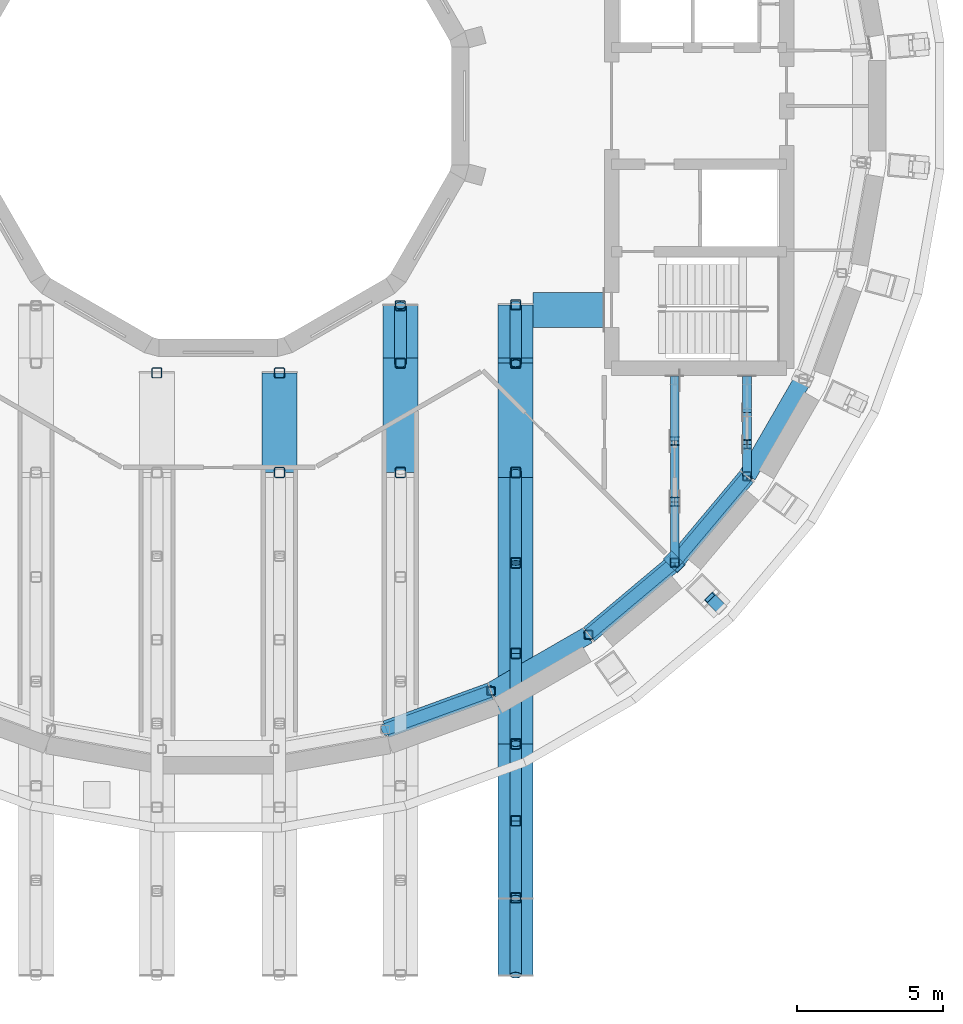
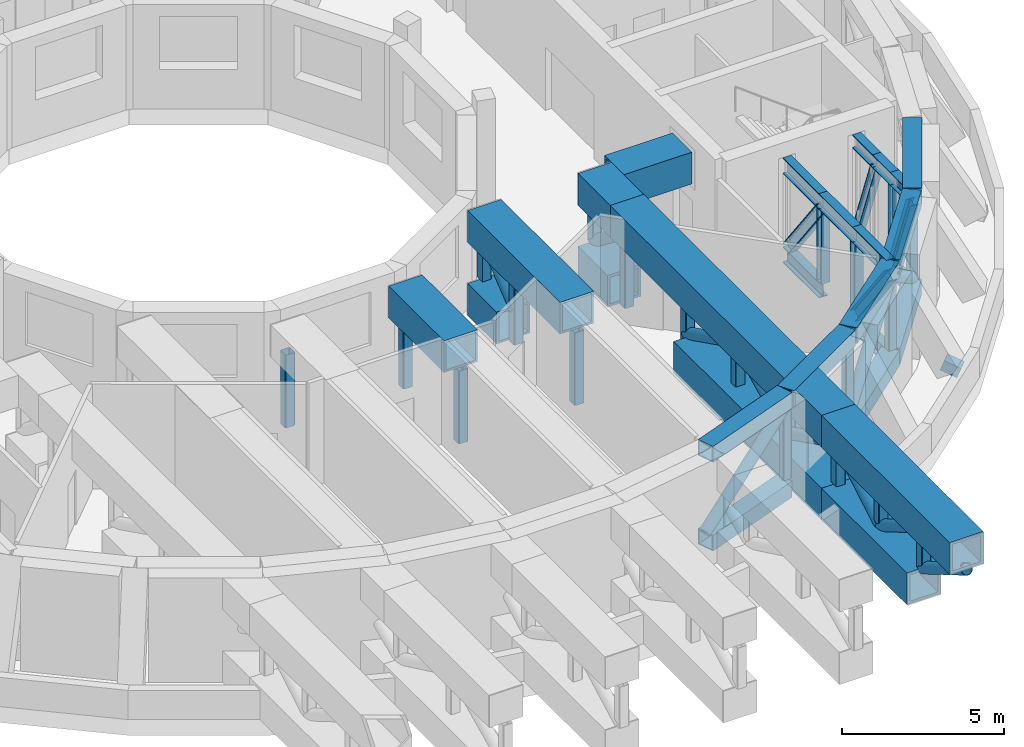
# One storey, part 4 of 20: 64 members, 2 beams.
"""IFC4 building model written with IfcOpenShell, lengths in metres."""

from ifc_helpers import new_model, si_unit, direction, frame, origin, origin_2d, place, context, subcontext, project, spatial, hollow_rectangle, hollow_circle, i_section, extrude, material, material_profile, profile_set, type_object, element, save


model = new_model("IFC4")

# Units and contexts
model_context = context("Model", 3, precision=1e-05, world=origin(), true_north=direction((0.0, 1.0)))
body_context = subcontext(model_context, "Body", "Model", "MODEL_VIEW")
ifc_project = project(units=[si_unit("LENGTHUNIT", "METRE"), si_unit("AREAUNIT", "SQUARE_METRE"), si_unit("VOLUMEUNIT", "CUBIC_METRE"), si_unit("PLANEANGLEUNIT", "RADIAN"), si_unit("MASSUNIT", "GRAM", prefix="KILO")], contexts=[model_context])

# Site, building, storey
site_placement = place(None, origin())
site = spatial("IfcSite", under=ifc_project, at=site_placement, CompositionType="ELEMENT")
building_placement = place(site_placement, origin())
building = spatial("IfcBuilding", under=site, at=building_placement, Name="Saqina Gate Tower", CompositionType="ELEMENT")
storey_placement = place(building_placement, frame((0.0, 0.0, 220.199951171875)))
storey = spatial("IfcBuildingStorey", under=building, at=storey_placement, Name="L63", CompositionType="ELEMENT", Elevation=220.199951171875)

# Members
ifc_material_1 = material(Name="Steel S460", Category="steel")
ifc_material_profile_1 = material_profile(ifc_material_1, hollow_rectangle(XDim=0.60009765625, YDim=0.60009765625, WallThickness=0.0400390625, at=origin_2d()), Name="BOX 600x600x40")
ifc_profile_set_1 = profile_set([ifc_material_profile_1], Name="Steel S460")
member_type_1 = type_object("IfcMemberType", Name="STR-BELT TRUSS L63 CHORD-BOX 600x600x40", PredefinedType="CHORD", material=ifc_profile_set_1)
for number, where, z_axis, x_axis, name in (
    (1, (5.757568359375, -21.38623046875, 0.300048828125), (0.939701678704, 0.341995255876, 0.0), (-0.341995255876, 0.939701678704, 0.0), "BELT TRUSS L63 CHORD 067"),
    (2, (5.757568359375, -21.38623046875, 3.650146484375), (0.939701678704, 0.341995255876, 0.0), (-0.341995255876, 0.939701678704, 0.0), "BELT TRUSS L63 CHORD 068"),
):
    element("IfcMember", number, at=place(storey_placement, frame(where, z_axis=z_axis, x_axis=x_axis)), inside=storey, type_object=member_type_1, Name=name, PredefinedType="CHORD", context=body_context, shape_type="SweptSolid", body=[
        extrude(hollow_rectangle(XDim=0.60009765625, YDim=0.60009765625, WallThickness=0.0400390625, at=origin_2d()), origin(), (0.0, 0.0, 1.0), 3.80859375),
    ])
member_1_placement = place(storey_placement, frame((9.3837890625, -20.0615234375, 3.650146484375), z_axis=(0.866009436129, 0.500027655771, 0.0), x_axis=(-0.500027655771, 0.866009436129, 0.0)))
element("IfcMember", 3, at=member_1_placement, inside=storey, type_object=member_type_1, Name="BELT TRUSS L63 CHORD 070", PredefinedType="CHORD", context=body_context, shape_type="SweptSolid", body=[
    extrude(hollow_rectangle(XDim=0.60009765625, YDim=0.60009765625, WallThickness=0.0400390625, at=origin_2d()), origin(), (0.0, 0.0, 1.0), 3.808349609375),
])
for number, where, z_axis, x_axis, name in (
    (4, (12.724853515625, -18.12744140625, 0.300048828125), (0.766020472545, 0.642816175622, 0.0), (-0.642816175622, 0.766020472545, 0.0), "BELT TRUSS L63 CHORD 071"),
    (5, (12.724853515625, -18.12744140625, 3.650146484375), (0.766020472545, 0.642816175622, 0.0), (-0.642816175622, 0.766020472545, 0.0), "BELT TRUSS L63 CHORD 072"),
    (6, (15.67919921875, -15.642333984375, 0.300048828125), (0.642816175622, 0.766020472545, 0.0), (-0.766020472545, 0.642816175622, 0.0), "BELT TRUSS L63 CHORD 074"),
    (7, (15.67919921875, -15.642333984375, 3.650146484375), (0.642816175622, 0.766020472545, 0.0), (-0.766020472545, 0.642816175622, 0.0), "BELT TRUSS L63 CHORD 075"),
):
    element("IfcMember", number, at=place(storey_placement, frame(where, z_axis=z_axis, x_axis=x_axis)), inside=storey, type_object=member_type_1, Name=name, PredefinedType="CHORD", context=body_context, shape_type="SweptSolid", body=[
        extrude(hollow_rectangle(XDim=0.60009765625, YDim=0.60009765625, WallThickness=0.0400390625, at=origin_2d()), origin(), (0.0, 0.0, 1.0), 3.80859375),
    ])
member_2_placement = place(storey_placement, frame((18.1572265625, -12.681884765625, 3.650146484375), z_axis=(0.500027655771, 0.866009436129, 0.0), x_axis=(-0.866009436129, 0.500027655771, 0.0)))
element("IfcMember", 8, at=member_2_placement, inside=storey, type_object=member_type_1, Name="BELT TRUSS L63 CHORD 077", PredefinedType="CHORD", context=body_context, shape_type="SweptSolid", body=[
    extrude(hollow_rectangle(XDim=0.60009765625, YDim=0.60009765625, WallThickness=0.0400390625, at=origin_2d()), origin(), (0.0, 0.0, 1.0), 3.808349609375),
])
ifc_material_2 = material(Name="Steel S460", Category="steel")
ifc_material_profile_2 = material_profile(ifc_material_2, hollow_circle(Radius=0.203125, WallThickness=0.01611328125, at=origin_2d()), Name="CHS 406.4x16")
ifc_profile_set_2 = profile_set([ifc_material_profile_2], Name="Steel S460")
member_type_2 = type_object("IfcMemberType", Name="STR-BELT TRUSS L63 DIAGONAL-CHS 406.4x16", PredefinedType="BRACE", material=ifc_profile_set_2)
for number, where, z_axis, x_axis, name in (
    (9, (5.7236328125, -21.398681640625, 0.593017578125), (0.765385221428, 0.27861538892, 0.580136990612), (-0.342061285319, 0.939677645305, 0.0), "BELT TRUSS L63 DIAGONAL 069"),
    (10, (12.697265625, -18.150390625, 0.593017578125), (0.623970085699, 0.523528120524, 0.580154840687), (-0.642755225422, 0.766071615577, 0.0), "BELT TRUSS L63 DIAGONAL 073"),
    (11, (15.65625, -15.669921875, 3.35693359375), (0.523528120524, 0.623970085699, -0.580154840687), (-0.766071615577, 0.642755225422, 0.0), "BELT TRUSS L63 DIAGONAL 076"),
):
    element("IfcMember", number, at=place(storey_placement, frame(where, z_axis=z_axis, x_axis=x_axis)), inside=storey, type_object=member_type_2, Name=name, PredefinedType="BRACE", context=body_context, shape_type="SweptSolid", body=[
        extrude(hollow_circle(Radius=0.203125, WallThickness=0.01611328125, at=origin_2d()), origin(), (0.0, 0.0, 1.0), 4.76416015625),
    ])
ifc_material_3 = material(Name="Steel S460", Category="steel")
ifc_material_profile_3 = material_profile(ifc_material_3, hollow_rectangle(XDim=0.300048828125, YDim=0.300048828125, WallThickness=0.01611328125, InnerFilletRadius=0.031982421875, OuterFilletRadius=0.048095703125, at=origin_2d()), Name="SHS 300x300x16")
ifc_profile_set_3 = profile_set([ifc_material_profile_3], Name="Steel S460")
member_type_3 = type_object("IfcMemberType", Name="STR-BELT TRUSS L63 POST-SHS 300x300x16", PredefinedType="POST", material=ifc_profile_set_3)
for number, where, z_axis, x_axis, name in (
    (12, (9.361083984375, -20.07470703125, 0.60009765625), (0.0, 0.0, 1.0), (1.0, 0.0, 0.0), "BELT TRUSS L63 POST 113"),
    (13, (12.704833984375, -18.144287109375, 0.60009765625), (0.0, 0.0, 1.0), (1.0, 0.0, 0.0), "BELT TRUSS L63 POST 114"),
    (14, (15.662353515625, -15.662353515625, 0.60009765625), (0.0, 0.0, 1.0), (1.0, 0.0, 0.0), "BELT TRUSS L63 POST 115"),
    (15, (18.144287109375, -12.704833984375, 0.60009765625), (0.0, 0.0, 1.0), (1.0, 0.0, 0.0), "BELT TRUSS L63 POST 116"),
):
    element("IfcMember", number, at=place(storey_placement, frame(where, z_axis=z_axis, x_axis=x_axis)), inside=storey, type_object=member_type_3, Name=name, PredefinedType="POST", context=body_context, shape_type="SweptSolid", body=[
        extrude(hollow_rectangle(XDim=0.300048828125, YDim=0.300048828125, WallThickness=0.01611328125, InnerFilletRadius=0.031982421875, OuterFilletRadius=0.048095703125, at=origin_2d()), origin(), (0.0, 0.0, 1.0), 2.75),
    ])

# Beams
ifc_material_4 = material(Name="Steel S460", Category="steel")
ifc_material_profile_4 = material_profile(ifc_material_4, hollow_rectangle(XDim=0.39990234375, YDim=0.39990234375, WallThickness=0.030029296875, at=origin_2d()), Name="BOX 400x400x30")
ifc_profile_set_4 = profile_set([ifc_material_profile_4], Name="Steel S460")
beam_type = type_object("IfcBeamType", Name="STR-NODE TIE BEAM L63-BOX 400x400x30", PredefinedType="BEAM", material=ifc_profile_set_4)
for number, where, z_axis, x_axis, name in (
    (16, (17.25341796875, -17.25341796875, 0.1884765625), (-0.666060531238, 0.666060531238, 0.335748026732), (-0.707106781187, -0.707106781187, 0.0), "NODE TIE BEAM L63 32 FOOT"),
    (17, (15.4501953125, -15.4501953125, 3.565673828125), (0.666060531238, -0.666060531238, 0.335748026732), (0.707106781187, 0.707106781187, 0.0), "NODE TIE BEAM L63 32 HEAD"),
):
    element("IfcBeam", number, at=place(storey_placement, frame(where, z_axis=z_axis, x_axis=x_axis)), inside=storey, type_object=beam_type, Name=name, PredefinedType="BEAM", context=body_context, shape_type="SweptSolid", body=[
        extrude(hollow_rectangle(XDim=0.39990234375, YDim=0.39990234375, WallThickness=0.030029296875, at=origin_2d()), origin(), (0.0, 0.0, 1.0), 0.583984375),
    ])

# Members
ifc_material_5 = material(Name="Steel S460", Category="steel")
ifc_material_profile_5 = material_profile(ifc_material_5, i_section(OverallWidth=0.300048828125, OverallDepth=0.5, WebThickness=0.014404296875, FlangeThickness=0.028076171875, FilletRadius=0.027099609375, at=origin_2d()), Name="HE 500 B")
ifc_profile_set_5 = profile_set([ifc_material_profile_5], Name="Steel S460")
member_type_4 = type_object("IfcMemberType", Name="STR-OUTRIGGER TRUSS L63 CHORD-HE 500 B", PredefinedType="CHORD", material=ifc_profile_set_5)
for number, where, z_axis, x_axis, name in (
    (18, (18.144287109375, -9.26806640625, 0.25), (0.0, -1.0, 0.0), (1.0, 0.0, 0.0), "OUTRIGGER TRUSS L63 CHORD 130"),
    (19, (18.144287109375, -9.26806640625, 3.699951171875), (0.0, -1.0, 0.0), (1.0, 0.0, 0.0), "OUTRIGGER TRUSS L63 CHORD 131"),
):
    element("IfcMember", number, at=place(storey_placement, frame(where, z_axis=z_axis, x_axis=x_axis)), inside=storey, type_object=member_type_4, Name=name, PredefinedType="CHORD", context=body_context, shape_type="SweptSolid", body=[
        extrude(i_section(OverallWidth=0.300048828125, OverallDepth=0.5, WebThickness=0.014404296875, FlangeThickness=0.028076171875, FilletRadius=0.027099609375, at=origin_2d()), origin(), (0.0, 0.0, 1.0), 1.24560546875),
    ])
member_3_placement = place(storey_placement, frame((18.144287109375, -10.513671875, 3.699951171875), z_axis=(0.0, -1.0, 0.0), x_axis=(1.0, 0.0, 0.0)))
element("IfcMember", 20, at=member_3_placement, inside=storey, type_object=member_type_4, Name="OUTRIGGER TRUSS L63 CHORD 133", PredefinedType="CHORD", context=body_context, shape_type="SweptSolid", body=[
    extrude(i_section(OverallWidth=0.300048828125, OverallDepth=0.5, WebThickness=0.014404296875, FlangeThickness=0.028076171875, FilletRadius=0.027099609375, at=origin_2d()), origin(), (0.0, 0.0, 1.0), 1.095458984375),
])
for number, where, z_axis, x_axis, name in (
    (21, (18.144287109375, -11.609130859375, 0.25), (0.0, -1.0, 0.0), (1.0, 0.0, 0.0), "OUTRIGGER TRUSS L63 CHORD 134"),
    (22, (18.144287109375, -11.609130859375, 3.699951171875), (0.0, -1.0, 0.0), (1.0, 0.0, 0.0), "OUTRIGGER TRUSS L63 CHORD 135"),
):
    element("IfcMember", number, at=place(storey_placement, frame(where, z_axis=z_axis, x_axis=x_axis)), inside=storey, type_object=member_type_4, Name=name, PredefinedType="CHORD", context=body_context, shape_type="SweptSolid", body=[
        extrude(i_section(OverallWidth=0.300048828125, OverallDepth=0.5, WebThickness=0.014404296875, FlangeThickness=0.028076171875, FilletRadius=0.027099609375, at=origin_2d()), origin(), (0.0, 0.0, 1.0), 1.095703125),
    ])
ifc_material_6 = material(Name="Steel S460", Category="steel")
ifc_material_profile_6 = material_profile(ifc_material_6, i_section(OverallWidth=0.300048828125, OverallDepth=0.300048828125, WebThickness=0.010986328125, FlangeThickness=0.01904296875, FilletRadius=0.027099609375, at=origin_2d()), Name="HE 300 B")
ifc_profile_set_6 = profile_set([ifc_material_profile_6], Name="Steel S460")
member_type_5 = type_object("IfcMemberType", Name="STR-OUTRIGGER TRUSS L63 DIAGONAL-HE 300 B", PredefinedType="BRACE", material=ifc_profile_set_6)
for number, where, z_axis, x_axis, name in (
    (23, (18.144287109375, -9.413818359375, 0.48876953125), (0.0, -0.348176863633, 0.937428862171), (1.0, 0.0, 0.0), "OUTRIGGER TRUSS L63 DIAGONAL 132"),
    (24, (18.144287109375, -11.60498046875, 0.48876953125), (0.0, -0.348176863633, 0.937428862171), (1.0, 0.0, 0.0), "OUTRIGGER TRUSS L63 DIAGONAL 136"),
):
    element("IfcMember", number, at=place(storey_placement, frame(where, z_axis=z_axis, x_axis=x_axis)), inside=storey, type_object=member_type_5, Name=name, PredefinedType="BRACE", context=body_context, shape_type="SweptSolid", body=[
        extrude(i_section(OverallWidth=0.300048828125, OverallDepth=0.300048828125, WebThickness=0.010986328125, FlangeThickness=0.01904296875, FilletRadius=0.027099609375, at=origin_2d()), origin(), (0.0, 0.0, 1.0), 3.1708984375),
    ])
ifc_material_7 = material(Name="Steel S460", Category="steel")
ifc_material_profile_7 = material_profile(ifc_material_7, i_section(OverallWidth=0.300048828125, OverallDepth=0.60009765625, WebThickness=0.015380859375, FlangeThickness=0.030029296875, FilletRadius=0.027099609375, at=origin_2d()), Name="HE 600 B")
ifc_profile_set_7 = profile_set([ifc_material_profile_7], Name="Steel S460")
member_type_6 = type_object("IfcMemberType", Name="STR-OUTRIGGER TRUSS L63 LONG CHORD-HE 600 B", PredefinedType="CHORD", material=ifc_profile_set_7)
for number, where, z_axis, x_axis, name in (
    (25, (15.662353515625, -9.26806640625, 0.300048828125), (0.0, -1.0, 0.0), (1.0, 0.0, 0.0), "OUTRIGGER TRUSS L63 LONG CHORD 170"),
    (26, (15.662353515625, -9.26806640625, 3.650146484375), (0.0, -1.0, 0.0), (1.0, 0.0, 0.0), "OUTRIGGER TRUSS L63 LONG CHORD 171"),
):
    element("IfcMember", number, at=place(storey_placement, frame(where, z_axis=z_axis, x_axis=x_axis)), inside=storey, type_object=member_type_6, Name=name, PredefinedType="CHORD", context=body_context, shape_type="SweptSolid", body=[
        extrude(i_section(OverallWidth=0.300048828125, OverallDepth=0.60009765625, WebThickness=0.015380859375, FlangeThickness=0.030029296875, FilletRadius=0.027099609375, at=origin_2d()), origin(), (0.0, 0.0, 1.0), 2.2314453125),
    ])
member_4_placement = place(storey_placement, frame((15.662353515625, -11.49951171875, 3.650146484375), z_axis=(0.0, -1.0, 0.0), x_axis=(1.0, 0.0, 0.0)))
element("IfcMember", 27, at=member_4_placement, inside=storey, type_object=member_type_6, Name="OUTRIGGER TRUSS L63 LONG CHORD 173", PredefinedType="CHORD", context=body_context, shape_type="SweptSolid", body=[
    extrude(i_section(OverallWidth=0.300048828125, OverallDepth=0.60009765625, WebThickness=0.015380859375, FlangeThickness=0.030029296875, FilletRadius=0.027099609375, at=origin_2d()), origin(), (0.0, 0.0, 1.0), 2.08154296875),
])
for number, where, z_axis, x_axis, name in (
    (28, (15.662353515625, -13.5810546875, 0.300048828125), (0.0, -1.0, 0.0), (1.0, 0.0, 0.0), "OUTRIGGER TRUSS L63 LONG CHORD 174"),
    (29, (15.662353515625, -13.5810546875, 3.650146484375), (0.0, -1.0, 0.0), (1.0, 0.0, 0.0), "OUTRIGGER TRUSS L63 LONG CHORD 175"),
):
    element("IfcMember", number, at=place(storey_placement, frame(where, z_axis=z_axis, x_axis=x_axis)), inside=storey, type_object=member_type_6, Name=name, PredefinedType="CHORD", context=body_context, shape_type="SweptSolid", body=[
        extrude(i_section(OverallWidth=0.300048828125, OverallDepth=0.60009765625, WebThickness=0.015380859375, FlangeThickness=0.030029296875, FilletRadius=0.027099609375, at=origin_2d()), origin(), (0.0, 0.0, 1.0), 2.081298828125),
    ])
ifc_material_8 = material(Name="Steel S460", Category="steel")
ifc_material_profile_8 = material_profile(ifc_material_8, i_section(OverallWidth=0.300048828125, OverallDepth=0.39990234375, WebThickness=0.013427734375, FlangeThickness=0.02392578125, FilletRadius=0.027099609375, at=origin_2d()), Name="HE 400 B")
ifc_profile_set_8 = profile_set([ifc_material_profile_8], Name="Steel S460")
member_type_7 = type_object("IfcMemberType", Name="STR-OUTRIGGER TRUSS L63 LONG DIAGONAL-HE 400 B", PredefinedType="BRACE", material=ifc_profile_set_8)
for number, where, z_axis, x_axis, name in (
    (30, (15.662353515625, -9.41064453125, 0.590576171875), (0.0, -0.603570718671, 0.797309467875), (1.0, 0.0, 0.0), "OUTRIGGER TRUSS L63 LONG DIAGONAL 172"),
    (31, (15.662353515625, -13.57373046875, 0.590576171875), (0.0, -0.603526027806, 0.797343297307), (1.0, 0.0, 0.0), "OUTRIGGER TRUSS L63 LONG DIAGONAL 176"),
):
    element("IfcMember", number, at=place(storey_placement, frame(where, z_axis=z_axis, x_axis=x_axis)), inside=storey, type_object=member_type_7, Name=name, PredefinedType="BRACE", context=body_context, shape_type="SweptSolid", body=[
        extrude(i_section(OverallWidth=0.300048828125, OverallDepth=0.39990234375, WebThickness=0.013427734375, FlangeThickness=0.02392578125, FilletRadius=0.027099609375, at=origin_2d()), origin(), (0.0, 0.0, 1.0), 3.472900390625),
    ])
ifc_material_9 = material(Name="Steel S460", Category="steel")
ifc_material_profile_9 = material_profile(ifc_material_9, i_section(OverallWidth=0.300048828125, OverallDepth=0.300048828125, WebThickness=0.010986328125, FlangeThickness=0.01904296875, FilletRadius=0.027099609375, at=origin_2d()), Name="HE 300 B")
ifc_profile_set_9 = profile_set([ifc_material_profile_9], Name="Steel S460")
member_type_8 = type_object("IfcMemberType", Name="STR-OUTRIGGER TRUSS L63 LONG POST-HE 300 B", PredefinedType="POST", material=ifc_profile_set_9)
for number, where, z_axis, x_axis, name in (
    (32, (15.662353515625, -11.49951171875, 0.60009765625), (0.0, 0.0, 1.0), (1.0, 0.0, 0.0), "OUTRIGGER TRUSS L63 LONG POST 178"),
    (33, (15.662353515625, -13.5810546875, 0.60009765625), (0.0, 0.0, 1.0), (1.0, 0.0, 0.0), "OUTRIGGER TRUSS L63 LONG POST 179"),
):
    element("IfcMember", number, at=place(storey_placement, frame(where, z_axis=z_axis, x_axis=x_axis)), inside=storey, type_object=member_type_8, Name=name, PredefinedType="POST", context=body_context, shape_type="SweptSolid", body=[
        extrude(i_section(OverallWidth=0.300048828125, OverallDepth=0.300048828125, WebThickness=0.010986328125, FlangeThickness=0.01904296875, FilletRadius=0.027099609375, at=origin_2d()), origin(), (0.0, 0.0, 1.0), 2.75),
    ])
ifc_material_10 = material(Name="Steel S460", Category="steel")
ifc_material_profile_10 = material_profile(ifc_material_10, i_section(OverallWidth=0.300048828125, OverallDepth=0.300048828125, WebThickness=0.010986328125, FlangeThickness=0.01904296875, FilletRadius=0.027099609375, at=origin_2d()), Name="HE 300 B")
ifc_profile_set_10 = profile_set([ifc_material_profile_10], Name="Steel S460")
member_type_9 = type_object("IfcMemberType", Name="STR-OUTRIGGER TRUSS L63 POST-HE 300 B", PredefinedType="POST", material=ifc_profile_set_10)
member_5_placement = place(storey_placement, frame((18.144287109375, -11.609130859375, 0.5), z_axis=(0.0, 0.0, 1.0), x_axis=(1.0, 0.0, 0.0)))
element("IfcMember", 34, at=member_5_placement, inside=storey, type_object=member_type_9, Name="OUTRIGGER TRUSS L63 POST 139", PredefinedType="POST", context=body_context, shape_type="SweptSolid", body=[
    extrude(i_section(OverallWidth=0.300048828125, OverallDepth=0.300048828125, WebThickness=0.010986328125, FlangeThickness=0.01904296875, FilletRadius=0.027099609375, at=origin_2d()), origin(), (0.0, 0.0, 1.0), 2.949951171875),
])
ifc_material_11 = material(Name="Steel S460", Category="steel")
ifc_material_profile_11 = material_profile(ifc_material_11, hollow_rectangle(XDim=1.199951171875, YDim=1.199951171875, WallThickness=0.080078125, at=origin_2d()), Name="BOX 1200x1200x80")
ifc_profile_set_11 = profile_set([ifc_material_profile_11], Name="Steel S460")
member_type_10 = type_object("IfcMemberType", Name="STR-POOL CANTILEVER TRUSS CHORD-BOX 1200x1200x80", PredefinedType="CHORD", material=ifc_profile_set_11)
member_6_placement = place(storey_placement, frame((2.104736328125, -12.574951171875, 3.35009765625), z_axis=(0.0, 1.0, 0.0), x_axis=(-1.0, 0.0, 0.0)))
element("IfcMember", 35, at=member_6_placement, inside=storey, type_object=member_type_10, Name="POOL CANTILEVER TRUSS CHORD 265", PredefinedType="CHORD", context=body_context, shape_type="SweptSolid", body=[
    extrude(hollow_rectangle(XDim=1.199951171875, YDim=1.199951171875, WallThickness=0.080078125, at=origin_2d()), origin(), (0.0, 0.0, 1.0), 3.41650390625),
])
member_7_placement = place(storey_placement, frame((6.25048828125, -8.64990234375, 0.60009765625), z_axis=(0.0, 1.0, 0.0), x_axis=(-1.0, 0.0, 0.0)))
element("IfcMember", 36, at=member_7_placement, inside=storey, type_object=member_type_10, Name="POOL CANTILEVER TRUSS CHORD 284", PredefinedType="CHORD", context=body_context, shape_type="SweptSolid", body=[
    extrude(hollow_rectangle(XDim=1.199951171875, YDim=1.199951171875, WallThickness=0.080078125, at=origin_2d()), origin(), (0.0, 0.0, 1.0), 1.798095703125),
])
member_8_placement = place(storey_placement, frame((6.25048828125, -12.574951171875, 3.35009765625), z_axis=(0.0, 1.0, 0.0), x_axis=(-1.0, 0.0, 0.0)))
element("IfcMember", 37, at=member_8_placement, inside=storey, type_object=member_type_10, Name="POOL CANTILEVER TRUSS CHORD 285", PredefinedType="CHORD", context=body_context, shape_type="SweptSolid", body=[
    extrude(hollow_rectangle(XDim=1.199951171875, YDim=1.199951171875, WallThickness=0.080078125, at=origin_2d()), origin(), (0.0, 0.0, 1.0), 5.72314453125),
])
ifc_material_12 = material(Name="Steel S460", Category="steel")
ifc_material_profile_12 = material_profile(ifc_material_12, hollow_circle(Radius=0.203125, WallThickness=0.01611328125, at=origin_2d()), Name="CHS 406.4x16")
ifc_profile_set_12 = profile_set([ifc_material_profile_12], Name="Steel S460")
member_type_11 = type_object("IfcMemberType", Name="STR-POOL CANTILEVER TRUSS DIAGONAL-CHS 406.4x16", PredefinedType="BRACE", material=ifc_profile_set_12)
member_9_placement = place(storey_placement, frame((6.25048828125, -8.83447265625, 1.192626953125), z_axis=(0.0, 0.786385216115, 0.617736425894), x_axis=(-1.0, 0.0, 0.0)))
element("IfcMember", 38, at=member_9_placement, inside=storey, type_object=member_type_11, Name="POOL CANTILEVER TRUSS DIAGONAL 291", PredefinedType="BRACE", context=body_context, shape_type="SweptSolid", body=[
    extrude(hollow_circle(Radius=0.203125, WallThickness=0.01611328125, at=origin_2d()), origin(), (0.0, 0.0, 1.0), 2.533447265625),
])
ifc_material_13 = material(Name="Steel S460", Category="steel")
ifc_material_profile_13 = material_profile(ifc_material_13, hollow_rectangle(XDim=1.199951171875, YDim=1.199951171875, WallThickness=0.10009765625, at=origin_2d()), Name="BOX 1200x1200x100")
ifc_profile_set_13 = profile_set([ifc_material_profile_13], Name="Steel S460")
member_type_12 = type_object("IfcMemberType", Name="STR-POOL CANTILEVER TRUSS END CHORD-BOX 1200x1200x100", PredefinedType="CHORD", material=ifc_profile_set_13)
member_10_placement = place(storey_placement, frame((10.206298828125, -27.170654296875, 0.60009765625), z_axis=(0.0, 1.0, 0.0), x_axis=(-1.0, 0.0, 0.0)))
element("IfcMember", 39, at=member_10_placement, inside=storey, type_object=member_type_12, Name="POOL CANTILEVER TRUSS END CHORD 300", PredefinedType="CHORD", context=body_context, shape_type="SweptSolid", body=[
    extrude(hollow_rectangle(XDim=1.199951171875, YDim=1.199951171875, WallThickness=0.10009765625, at=origin_2d()), origin(), (0.0, 0.0, 1.0), 5.283203125),
])
member_11_placement = place(storey_placement, frame((10.206298828125, -29.8125, 3.35009765625), z_axis=(0.0, 1.0, 0.0), x_axis=(-1.0, 0.0, 0.0)))
element("IfcMember", 40, at=member_11_placement, inside=storey, type_object=member_type_12, Name="POOL CANTILEVER TRUSS END CHORD 301", PredefinedType="CHORD", context=body_context, shape_type="SweptSolid", body=[
    extrude(hollow_rectangle(XDim=1.199951171875, YDim=1.199951171875, WallThickness=0.10009765625, at=origin_2d()), origin(), (0.0, 0.0, 1.0), 7.925048828125),
])
member_12_placement = place(storey_placement, frame((10.206298828125, -21.887451171875, 0.60009765625), z_axis=(0.0, 1.0, 0.0), x_axis=(-1.0, 0.0, 0.0)))
element("IfcMember", 41, at=member_12_placement, inside=storey, type_object=member_type_12, Name="POOL CANTILEVER TRUSS END CHORD 302", PredefinedType="CHORD", context=body_context, shape_type="SweptSolid", body=[
    extrude(hollow_rectangle(XDim=1.199951171875, YDim=1.199951171875, WallThickness=0.10009765625, at=origin_2d()), origin(), (0.0, 0.0, 1.0), 9.137451171875),
])
member_13_placement = place(storey_placement, frame((10.206298828125, -21.887451171875, 3.35009765625), z_axis=(0.0, 1.0, 0.0), x_axis=(-1.0, 0.0, 0.0)))
element("IfcMember", 42, at=member_13_placement, inside=storey, type_object=member_type_12, Name="POOL CANTILEVER TRUSS END CHORD 303", PredefinedType="CHORD", context=body_context, shape_type="SweptSolid", body=[
    extrude(hollow_rectangle(XDim=1.199951171875, YDim=1.199951171875, WallThickness=0.10009765625, at=origin_2d()), origin(), (0.0, 0.0, 1.0), 13.0625),
])
member_14_placement = place(storey_placement, frame((10.206298828125, -8.64990234375, 0.60009765625), z_axis=(0.0, 1.0, 0.0), x_axis=(-1.0, 0.0, 0.0)))
element("IfcMember", 43, at=member_14_placement, inside=storey, type_object=member_type_12, Name="POOL CANTILEVER TRUSS END CHORD 304", PredefinedType="CHORD", context=body_context, shape_type="SweptSolid", body=[
    extrude(hollow_rectangle(XDim=1.199951171875, YDim=1.199951171875, WallThickness=0.10009765625, at=origin_2d()), origin(), (0.0, 0.0, 1.0), 1.824951171875),
])
member_15_placement = place(storey_placement, frame((10.206298828125, -8.824951171875, 3.35009765625), z_axis=(0.0, 1.0, 0.0), x_axis=(-1.0, 0.0, 0.0)))
element("IfcMember", 44, at=member_15_placement, inside=storey, type_object=member_type_12, Name="POOL CANTILEVER TRUSS END CHORD 305", PredefinedType="CHORD", context=body_context, shape_type="SweptSolid", body=[
    extrude(hollow_rectangle(XDim=1.199951171875, YDim=1.199951171875, WallThickness=0.10009765625, at=origin_2d()), origin(), (0.0, 0.0, 1.0), 2.0),
])
ifc_material_14 = material(Name="Steel S460", Category="steel")
ifc_material_profile_14 = material_profile(ifc_material_14, hollow_circle(Radius=0.203125, WallThickness=0.01611328125, at=origin_2d()), Name="CHS 406.4x16")
ifc_profile_set_14 = profile_set([ifc_material_profile_14], Name="Steel S460")
member_type_13 = type_object("IfcMemberType", Name="STR-POOL CANTILEVER TRUSS END DIAGONAL-CHS 406.4x16", PredefinedType="BRACE", material=ifc_profile_set_14)
for number, where, z_axis, x_axis, name in (
    (45, (10.206298828125, -29.82275390625, 2.756103515625), (0.0, 0.862511097352, -0.506038147717), (-1.0, 0.0, 0.0), "POOL CANTILEVER TRUSS END DIAGONAL 306"),
    (46, (10.206298828125, -27.18115234375, 2.756103515625), (0.0, 0.862511097352, -0.506038147717), (-1.0, 0.0, 0.0), "POOL CANTILEVER TRUSS END DIAGONAL 307"),
    (47, (10.206298828125, -24.539306640625, 1.194091796875), (0.0, 0.862511097352, 0.506038147717), (-1.0, 0.0, 0.0), "POOL CANTILEVER TRUSS END DIAGONAL 308"),
):
    element("IfcMember", number, at=place(storey_placement, frame(where, z_axis=z_axis, x_axis=x_axis)), inside=storey, type_object=member_type_13, Name=name, PredefinedType="BRACE", context=body_context, shape_type="SweptSolid", body=[
        extrude(hollow_circle(Radius=0.203125, WallThickness=0.01611328125, at=origin_2d()), origin(), (0.0, 0.0, 1.0), 3.086669921875),
    ])
for number, where, z_axis, x_axis, name in (
    (48, (10.206298828125, -21.89794921875, 2.75537109375), (0.0, 0.89465070691, -0.446766284118), (-1.0, 0.0, 0.0), "POOL CANTILEVER TRUSS END DIAGONAL 309"),
    (49, (10.206298828125, -18.7939453125, 1.194580078125), (0.0, 0.89465070691, 0.446766284118), (-1.0, 0.0, 0.0), "POOL CANTILEVER TRUSS END DIAGONAL 310"),
):
    element("IfcMember", number, at=place(storey_placement, frame(where, z_axis=z_axis, x_axis=x_axis)), inside=storey, type_object=member_type_13, Name=name, PredefinedType="BRACE", context=body_context, shape_type="SweptSolid", body=[
        extrude(hollow_circle(Radius=0.203125, WallThickness=0.01611328125, at=origin_2d()), origin(), (0.0, 0.0, 1.0), 3.493408203125),
    ])
member_16_placement = place(storey_placement, frame((10.206298828125, -15.68994140625, 2.75537109375), z_axis=(0.0, 0.89466465439, -0.446738353161), x_axis=(-1.0, 0.0, 0.0)))
element("IfcMember", 50, at=member_16_placement, inside=storey, type_object=member_type_13, Name="POOL CANTILEVER TRUSS END DIAGONAL 311", PredefinedType="BRACE", context=body_context, shape_type="SweptSolid", body=[
    extrude(hollow_circle(Radius=0.203125, WallThickness=0.01611328125, at=origin_2d()), origin(), (0.0, 0.0, 1.0), 3.49365234375),
])
member_17_placement = place(storey_placement, frame((10.206298828125, -8.83447265625, 2.75732421875), z_axis=(0.0, 0.790426621363, -0.61255673716), x_axis=(-1.0, 0.0, 0.0)))
element("IfcMember", 51, at=member_17_placement, inside=storey, type_object=member_type_13, Name="POOL CANTILEVER TRUSS END DIAGONAL 312", PredefinedType="BRACE", context=body_context, shape_type="SweptSolid", body=[
    extrude(hollow_circle(Radius=0.203125, WallThickness=0.01611328125, at=origin_2d()), origin(), (0.0, 0.0, 1.0), 2.554443359375),
])
ifc_material_15 = material(Name="Steel S460", Category="steel")
ifc_material_profile_15 = material_profile(ifc_material_15, hollow_rectangle(XDim=0.35009765625, YDim=0.35009765625, WallThickness=0.01611328125, InnerFilletRadius=0.031982421875, OuterFilletRadius=0.048095703125, at=origin_2d()), Name="SHS 350x350x16")
ifc_profile_set_15 = profile_set([ifc_material_profile_15], Name="Steel S460")
member_type_14 = type_object("IfcMemberType", Name="STR-POOL CANTILEVER TRUSS END POST-SHS 350x350x16", PredefinedType="POST", material=ifc_profile_set_15)
for number, where, z_axis, x_axis, name in (
    (52, (10.206298828125, -27.170654296875, 1.199951171875), (0.0, 0.0, 1.0), (1.0, 0.0, 0.0), "POOL CANTILEVER TRUSS END POST 313"),
    (53, (10.206298828125, -24.529052734375, 1.199951171875), (0.0, 0.0, 1.0), (1.0, 0.0, 0.0), "POOL CANTILEVER TRUSS END POST 314"),
    (54, (10.206298828125, -21.887451171875, 1.199951171875), (0.0, 0.0, 1.0), (1.0, 0.0, 0.0), "POOL CANTILEVER TRUSS END POST 315"),
    (55, (10.206298828125, -18.783203125, 1.199951171875), (0.0, 0.0, 1.0), (1.0, 0.0, 0.0), "POOL CANTILEVER TRUSS END POST 316"),
    (56, (10.206298828125, -15.67919921875, 1.199951171875), (0.0, 0.0, 1.0), (1.0, 0.0, 0.0), "POOL CANTILEVER TRUSS END POST 317"),
):
    element("IfcMember", number, at=place(storey_placement, frame(where, z_axis=z_axis, x_axis=x_axis)), inside=storey, type_object=member_type_14, Name=name, PredefinedType="POST", context=body_context, shape_type="SweptSolid", body=[
        extrude(hollow_rectangle(XDim=0.35009765625, YDim=0.35009765625, WallThickness=0.01611328125, InnerFilletRadius=0.031982421875, OuterFilletRadius=0.048095703125, at=origin_2d()), origin(), (0.0, 0.0, 1.0), 1.550048828125),
    ])
for number, where, z_axis, x_axis, name in (
    (57, (10.206298828125, -12.574951171875, 0.0), (0.0, 0.0, 1.0), (1.0, 0.0, 0.0), "POOL CANTILEVER TRUSS END POST 318"),
    (58, (10.206298828125, -8.824951171875, 0.0), (0.0, 0.0, 1.0), (1.0, 0.0, 0.0), "POOL CANTILEVER TRUSS END POST 319"),
):
    element("IfcMember", number, at=place(storey_placement, frame(where, z_axis=z_axis, x_axis=x_axis)), inside=storey, type_object=member_type_14, Name=name, PredefinedType="POST", context=body_context, shape_type="SweptSolid", body=[
        extrude(hollow_rectangle(XDim=0.35009765625, YDim=0.35009765625, WallThickness=0.01611328125, InnerFilletRadius=0.031982421875, OuterFilletRadius=0.048095703125, at=origin_2d()), origin(), (0.0, 0.0, 1.0), 2.75),
    ])
member_18_placement = place(storey_placement, frame((10.206298828125, -6.824951171875, 1.199951171875), z_axis=(0.0, 0.0, 1.0), x_axis=(1.0, 0.0, 0.0)))
element("IfcMember", 59, at=member_18_placement, inside=storey, type_object=member_type_14, Name="POOL CANTILEVER TRUSS END POST 320", PredefinedType="POST", context=body_context, shape_type="SweptSolid", body=[
    extrude(hollow_rectangle(XDim=0.35009765625, YDim=0.35009765625, WallThickness=0.01611328125, InnerFilletRadius=0.031982421875, OuterFilletRadius=0.048095703125, at=origin_2d()), origin(), (0.0, 0.0, 1.0), 1.550048828125),
])
ifc_material_16 = material(Name="Steel S460", Category="steel")
ifc_material_profile_16 = material_profile(ifc_material_16, hollow_rectangle(XDim=0.35009765625, YDim=0.35009765625, WallThickness=0.01611328125, InnerFilletRadius=0.031982421875, OuterFilletRadius=0.048095703125, at=origin_2d()), Name="SHS 350x350x16")
ifc_profile_set_16 = profile_set([ifc_material_profile_16], Name="Steel S460")
member_type_15 = type_object("IfcMemberType", Name="STR-POOL CANTILEVER TRUSS POST-SHS 350x350x16", PredefinedType="POST", material=ifc_profile_set_16)
for number, where, z_axis, x_axis, name in (
    (60, (-2.104736328125, -9.158447265625, 0.0), (0.0, 0.0, 1.0), (1.0, 0.0, 0.0), "POOL CANTILEVER TRUSS POST 260"),
    (61, (2.104736328125, -12.574951171875, 0.0), (0.0, 0.0, 1.0), (1.0, 0.0, 0.0), "POOL CANTILEVER TRUSS POST 278"),
    (62, (2.104736328125, -9.158447265625, 0.0), (0.0, 0.0, 1.0), (1.0, 0.0, 0.0), "POOL CANTILEVER TRUSS POST 279"),
    (63, (6.25048828125, -12.574951171875, 0.0), (0.0, 0.0, 1.0), (1.0, 0.0, 0.0), "POOL CANTILEVER TRUSS POST 297"),
    (64, (6.25048828125, -8.824951171875, 0.0), (0.0, 0.0, 1.0), (1.0, 0.0, 0.0), "POOL CANTILEVER TRUSS POST 298"),
):
    element("IfcMember", number, at=place(storey_placement, frame(where, z_axis=z_axis, x_axis=x_axis)), inside=storey, type_object=member_type_15, Name=name, PredefinedType="POST", context=body_context, shape_type="SweptSolid", body=[
        extrude(hollow_rectangle(XDim=0.35009765625, YDim=0.35009765625, WallThickness=0.01611328125, InnerFilletRadius=0.031982421875, OuterFilletRadius=0.048095703125, at=origin_2d()), origin(), (0.0, 0.0, 1.0), 2.75),
    ])
member_19_placement = place(storey_placement, frame((6.25048828125, -6.851806640625, 1.199951171875), z_axis=(0.0, 0.0, 1.0), x_axis=(1.0, 0.0, 0.0)))
element("IfcMember", 65, at=member_19_placement, inside=storey, type_object=member_type_15, Name="POOL CANTILEVER TRUSS POST 299", PredefinedType="POST", context=body_context, shape_type="SweptSolid", body=[
    extrude(hollow_rectangle(XDim=0.35009765625, YDim=0.35009765625, WallThickness=0.01611328125, InnerFilletRadius=0.031982421875, OuterFilletRadius=0.048095703125, at=origin_2d()), origin(), (0.0, 0.0, 1.0), 1.550048828125),
])
ifc_material_17 = material(Name="Steel S460", Category="steel")
ifc_material_profile_17 = material_profile(ifc_material_17, hollow_rectangle(XDim=1.199951171875, YDim=1.199951171875, WallThickness=0.080078125, at=origin_2d()), Name="BOX 1200x1200x80")
ifc_profile_set_17 = profile_set([ifc_material_profile_17], Name="Steel S460")
member_type_16 = type_object("IfcMemberType", Name="STR-POOL TIE GIRDER-BOX 1200x1200x80", PredefinedType="CHORD", material=ifc_profile_set_17)
member_20_placement = place(storey_placement, frame((10.80615234375, -7.0, 3.35009765625), z_axis=(1.0, 0.0, 0.0), x_axis=(0.0, 1.0, 0.0)))
element("IfcMember", 66, at=member_20_placement, inside=storey, type_object=member_type_16, Name="POOL TIE GIRDER L63 321", PredefinedType="CHORD", context=body_context, shape_type="SweptSolid", body=[
    extrude(hollow_rectangle(XDim=1.199951171875, YDim=1.199951171875, WallThickness=0.080078125, at=origin_2d()), origin(), (0.0, 0.0, 1.0), 2.42578125),
])

save(model, "model.ifc")
